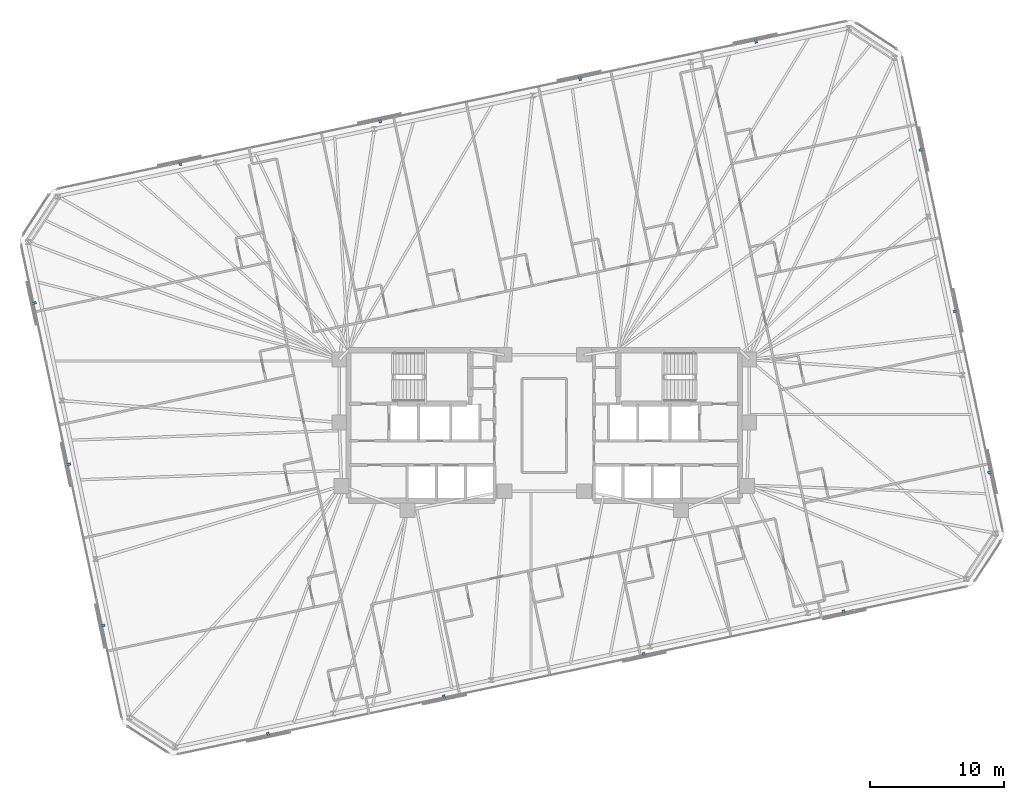
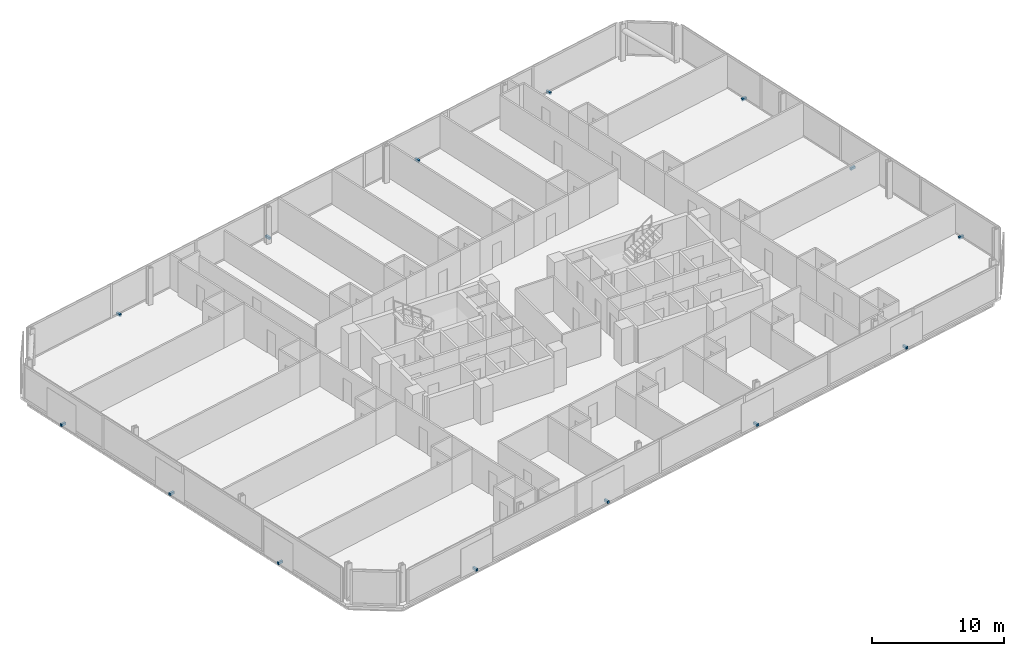
# One storey, part 19 of 20: 14 discrete accessories.
"""IFC4 building model written with IfcOpenShell, lengths in metres."""

from ifc_helpers import new_model, si_unit, direction, frame, origin, origin_2d, place, context, subcontext, project, spatial, rectangle, extrude, material, type_object, element, save


model = new_model("IFC4")

# Units and contexts
model_context = context("Model", 3, precision=1e-05, world=origin(), true_north=direction((0.0, 1.0)))
body_context = subcontext(model_context, "Body", "Model", "MODEL_VIEW")
ifc_project = project(units=[si_unit("LENGTHUNIT", "METRE"), si_unit("AREAUNIT", "SQUARE_METRE"), si_unit("VOLUMEUNIT", "CUBIC_METRE"), si_unit("PLANEANGLEUNIT", "RADIAN"), si_unit("MASSUNIT", "GRAM", prefix="KILO")], contexts=[model_context])

# Site, building, storey
site_placement = place(None, origin())
site = spatial("IfcSite", under=ifc_project, at=site_placement, CompositionType="ELEMENT")
building_placement = place(site_placement, origin())
building = spatial("IfcBuilding", under=site, at=building_placement, Name="Menara Jurai Vektor", CompositionType="ELEMENT")
storey_placement = place(building_placement, frame((0.0, 0.0, 178.60009765625)))
storey = spatial("IfcBuildingStorey", under=building, at=storey_placement, Name="L46", CompositionType="ELEMENT", Elevation=178.60009765625)

# Discrete accessories
ifc_material = material(Name="Steel S355", Category="steel")
discrete_accessory_type = type_object("IfcDiscreteAccessoryType", Name="ENV-ACC-BRACKET", PredefinedType="BRACKET", material=ifc_material)
for number, where, z_axis, x_axis, name in (
    (1, (-20.527099609375, -23.043701171875, -0.1298828125), (0.0, 0.0, 1.0), (0.978147600734, 0.207911690818, 0.0), "Solar Screen Stand-Off Bracket L46-S01"),
    (2, (-7.443115234375, -20.262451171875, -0.1298828125), (0.0, 0.0, 1.0), (0.978147600734, 0.207911690818, 0.0), "Solar Screen Stand-Off Bracket L46-S02"),
    (3, (7.424560546875, -17.102294921875, -0.1298828125), (0.0, 0.0, 1.0), (0.978147600734, 0.207911690818, 0.0), "Solar Screen Stand-Off Bracket L46-S03"),
    (4, (22.29248046875, -13.94189453125, -0.1298828125), (0.0, 0.0, 1.0), (0.978147600734, 0.207911690818, 0.0), "Solar Screen Stand-Off Bracket L46-S04"),
    (5, (33.19580078125, -3.491455078125, -0.1298828125), (0.0, 0.0, 1.0), (-0.207911690818, 0.978147600734, 0.0), "Solar Screen Stand-Off Bracket L46-S05"),
    (6, (30.6455078125, 8.50732421875, -0.1298828125), (0.0, 0.0, 1.0), (-0.207911690818, 0.978147600734, 0.0), "Solar Screen Stand-Off Bracket L46-S06"),
    (7, (28.09521484375, 20.505859375, -0.1298828125), (0.0, 0.0, 1.0), (-0.207911690818, 0.978147600734, 0.0), "Solar Screen Stand-Off Bracket L46-S07"),
    (8, (15.72705078125, 28.6435546875, -0.1298828125), (0.0, 0.0, 1.0), (-0.978147600734, -0.207911690818, 0.0), "Solar Screen Stand-Off Bracket L46-S08"),
    (9, (2.643310546875, 25.862548828125, -0.1298828125), (0.0, 0.0, 1.0), (-0.978147600734, -0.207911690818, 0.0), "Solar Screen Stand-Off Bracket L46-S09"),
    (10, (-12.224609375, 22.702392578125, -0.1298828125), (0.0, 0.0, 1.0), (-0.978147600734, -0.207911690818, 0.0), "Solar Screen Stand-Off Bracket L46-S10"),
    (11, (-27.092529296875, 19.5419921875, -0.1298828125), (0.0, 0.0, 1.0), (-0.978147600734, -0.207911690818, 0.0), "Solar Screen Stand-Off Bracket L46-S11"),
    (12, (-37.995849609375, 9.09130859375, -0.1298828125), (0.0, 0.0, 1.0), (0.207911690818, -0.978147600734, 0.0), "Solar Screen Stand-Off Bracket L46-S12"),
    (13, (-35.445556640625, -2.9072265625, -0.1298828125), (0.0, 0.0, 1.0), (0.207911690818, -0.978147600734, 0.0), "Solar Screen Stand-Off Bracket L46-S13"),
    (14, (-32.895263671875, -14.906005859375, -0.1298828125), (0.0, 0.0, 1.0), (0.207911690818, -0.978147600734, 0.0), "Solar Screen Stand-Off Bracket L46-S14"),
):
    element("IfcDiscreteAccessory", number, at=place(storey_placement, frame(where, z_axis=z_axis, x_axis=x_axis)), inside=storey, type_object=discrete_accessory_type, Name=name, PredefinedType="BRACKET", context=body_context, shape_type="SweptSolid", body=[
        extrude(rectangle(XDim=0.179931640625, YDim=0.43994140625, at=origin_2d()), origin(), (0.0, 0.0, 1.0), 0.219970703125),
    ])

save(model, "model.ifc")
